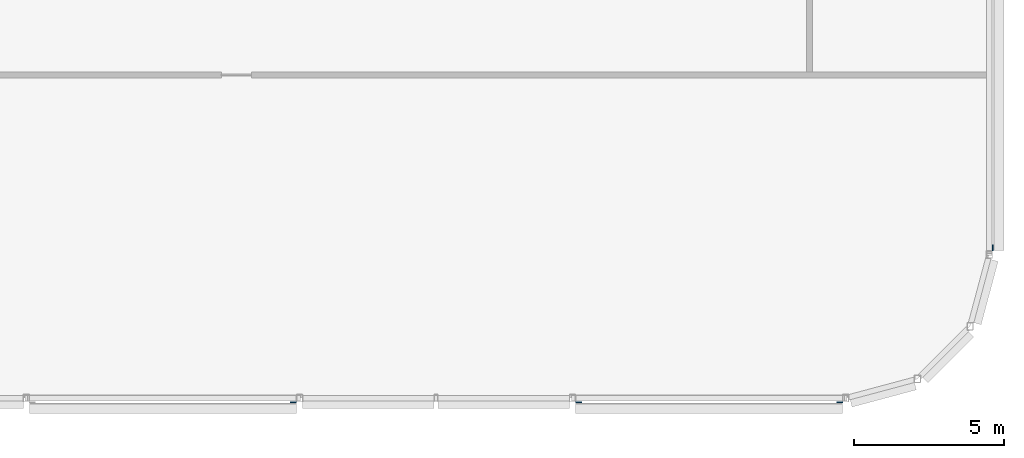
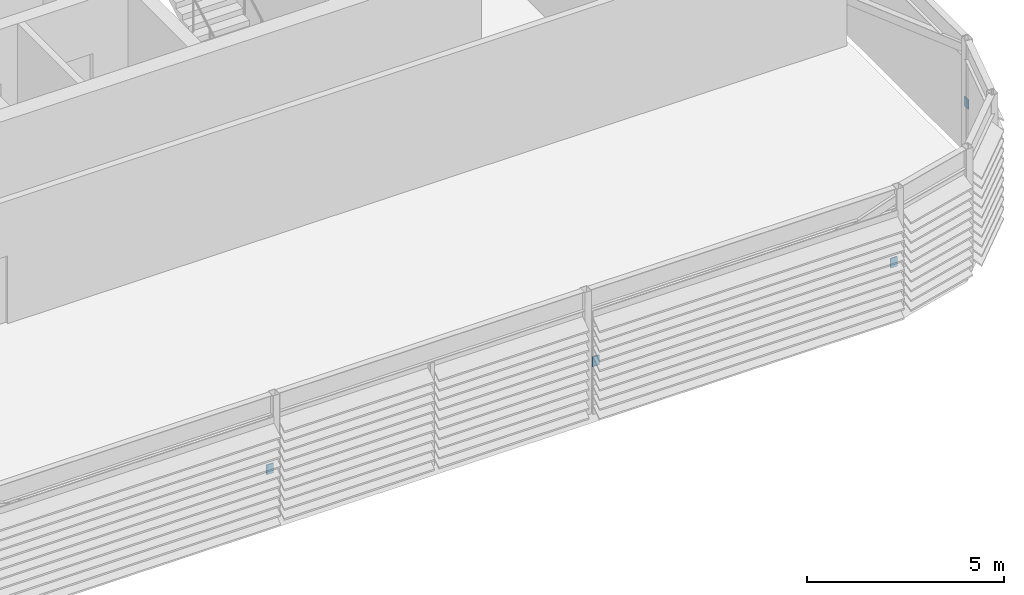
# One storey, part 21 of 28: 4 discrete accessories.
"""IFC4 building model written with IfcOpenShell, lengths in metres."""

import ifcopenshell
import ifcopenshell.guid

model = None  # the IFC model being written
_history = None  # IfcOwnerHistory: only IFC2X3 demands one
_inside = {}  # id of a spatial element -> (the spatial element, [elements in it])
_under = {}  # id of a project, library or spatial element -> (it, [spatial elements below it])
_declared = {}  # id of a project -> (the project, [libraries it declares])
_typed = {}  # id of a type object -> (the type object, [elements of that type])
_made_of = {}  # id of a material, layer set ... -> (it, [elements and type objects made of it])


def new_model(schema):
    """Start an empty IFC model of exactly this schema.

    Asked for "IFC4X3", IfcOpenShell would pick the latest addendum, in which some entities
    have other attributes; the version numbers below select the first issue.
    IFC2X3 requires an IfcOwnerHistory on every rooted entity: one is made here for all.
    """
    global model, _history
    if schema == "IFC4X3":
        model = ifcopenshell.file(schema_version=(4, 3, 0, 0))
    else:
        model = ifcopenshell.file(schema=schema)
    _inside.clear()
    _under.clear()
    _declared.clear()
    _typed.clear()
    _made_of.clear()
    _history = None
    if model.schema == "IFC2X3":
        org = make("IfcOrganization", Name="unknown")
        user = make(
            "IfcPersonAndOrganization",
            ThePerson=make("IfcPerson", FamilyName="unknown"),
            TheOrganization=org,
        )
        app = make(
            "IfcApplication",
            ApplicationDeveloper=org,
            Version="unknown",
            ApplicationFullName="unknown",
            ApplicationIdentifier="unknown",
        )
        _history = make(
            "IfcOwnerHistory",
            OwningUser=user,
            OwningApplication=app,
            ChangeAction="ADDED",
            CreationDate=0,
        )
    return model


def make(cls, **values):
    """One entity of the class cls with the attributes given. An attribute that is None is left unset."""
    return model.create_entity(
        cls, **{name: value for name, value in values.items() if value is not None}
    )


def rooted(cls, **values):
    """An entity with a GlobalId (a new one), such as an element, a storey or a relation."""
    return make(cls, GlobalId=ifcopenshell.guid.new(), OwnerHistory=_history, **values)


def si_unit(unit_type, name, prefix=None):
    """IfcSIUnit, for example si_unit("LENGTHUNIT", "METRE", prefix="MILLI")."""
    return make("IfcSIUnit", UnitType=unit_type, Prefix=prefix, Name=name)


def assignment(units):
    """IfcUnitAssignment: the units of a project."""
    return None if units is None else make("IfcUnitAssignment", Units=units)


def point(xyz):
    """IfcCartesianPoint."""
    return None if xyz is None else make("IfcCartesianPoint", Coordinates=xyz)


def direction(xyz):
    """IfcDirection."""
    return None if xyz is None else make("IfcDirection", DirectionRatios=xyz)


def frame(location, z_axis=None, x_axis=None):
    """IfcAxis2Placement3D, a coordinate frame: its origin and axes. An axis left out is left unset."""
    return make(
        "IfcAxis2Placement3D",
        Location=point(location),
        Axis=direction(z_axis),
        RefDirection=direction(x_axis),
    )


def frame_2d(location, x_axis=None):
    """IfcAxis2Placement2D, a coordinate frame in the plane: its origin and x axis."""
    return make(
        "IfcAxis2Placement2D", Location=point(location), RefDirection=direction(x_axis)
    )


def origin():
    """The frame at (0, 0, 0) with its axes left unset."""
    return frame((0.0, 0.0, 0.0))


def origin_2d():
    """The frame at (0, 0) in the plane with its x axis left unset."""
    return frame_2d((0.0, 0.0))


def place(relative_to, where):
    """IfcLocalPlacement: puts the frame where relative to a parent placement (None: the world)."""
    return make(
        "IfcLocalPlacement", PlacementRelTo=relative_to, RelativePlacement=where
    )


def context(
    kind, dimensions, precision=None, world=None, true_north=None, identifier=None
):
    """IfcGeometricRepresentationContext, for example the 3D "Model" context."""
    return make(
        "IfcGeometricRepresentationContext",
        ContextIdentifier=identifier,
        ContextType=kind,
        CoordinateSpaceDimension=dimensions,
        Precision=precision,
        WorldCoordinateSystem=world,
        TrueNorth=true_north,
    )


def subcontext(parent, identifier, kind, view, scale=None):
    """IfcGeometricRepresentationSubContext, for example "Body" below "Model"."""
    return make(
        "IfcGeometricRepresentationSubContext",
        ContextIdentifier=identifier,
        ContextType=kind,
        ParentContext=parent,
        TargetScale=scale,
        TargetView=view,
    )


def project(units=None, contexts=None):
    """IfcProject with its units and contexts."""
    return rooted(
        "IfcProject",
        Name="project",
        RepresentationContexts=contexts,
        UnitsInContext=assignment(units),
    )


def spatial(cls, under=None, at=None, **own):
    """A site, building, storey or space (cls), placed at a placement, below another one or the project."""
    s = rooted(cls, ObjectPlacement=at, **own)
    if under is not None:
        _under.setdefault(under.id(), (under, []))[1].append(s)
    return s


def profile(cls, at=None, kind="AREA", **sizes):
    """A parametric profile (cls). Its sizes go by their IFC names, for example OverallWidth=200.0."""
    return make(cls, ProfileType=kind, Position=at, **sizes)


def rectangle(**sizes):
    """IfcRectangleProfileDef."""
    return profile("IfcRectangleProfileDef", **sizes)


def extrude(swept, where, along, depth):
    """IfcExtrudedAreaSolid: the profile swept, set in the frame where, extruded along a direction by depth."""
    return make(
        "IfcExtrudedAreaSolid",
        SweptArea=swept,
        Position=where,
        ExtrudedDirection=direction(along),
        Depth=depth,
    )


def shape(context_of_items, identifier, shape_type, items):
    """IfcShapeRepresentation: the items that make up one representation, for example the "Body"."""
    return make(
        "IfcShapeRepresentation",
        ContextOfItems=context_of_items,
        RepresentationIdentifier=identifier,
        RepresentationType=shape_type,
        Items=items,
    )


def material(Name=None, Category=None):
    """IfcMaterial."""
    return make("IfcMaterial", Name=Name, Category=Category)


def made_of(thing, what):
    """Note that an element or type object is made of a material, layer set ...; save() writes the relation."""
    if what is not None:
        _made_of.setdefault(what.id(), (what, []))[1].append(thing)
    return thing


def type_object(cls, material=None, **own):
    """A type object (cls), such as IfcWallType, which elements share."""
    return made_of(rooted(cls, **own), material)


def element(
    cls,
    number,
    at=None,
    inside=None,
    cuts=None,
    type_object=None,
    material=None,
    context=None,
    identifier="Body",
    shape_type=None,
    held_by="IfcProductDefinitionShape",
    body=None,
    shapes=None,
    **own,
):
    """One element of the class cls, such as IfcWall. Its Tag is "e" and its number.

    at: its placement. inside: the storey or other place that contains it. cuts: it is an
    opening in that element (IfcRelVoidsElement). A single representation is given by context,
    identifier, shape_type and body (its items); several are given by shapes. held_by: the class
    of the entity that holds the representations. save() writes the other relations.
    """
    e = rooted(cls, Tag="e%d" % number, ObjectPlacement=at, **own)
    if body is not None:
        shapes = [shape(context, identifier, shape_type, body)]
    if shapes is not None:
        e.Representation = make(held_by, Representations=shapes)
    if inside is not None:
        _inside.setdefault(inside.id(), (inside, []))[1].append(e)
    if cuts is not None:
        rooted(
            "IfcRelVoidsElement", RelatingBuildingElement=cuts, RelatedOpeningElement=e
        )
    if type_object is not None:
        _typed.setdefault(type_object.id(), (type_object, []))[1].append(e)
    return made_of(e, material)


def aggregate(whole, parts):
    """IfcRelAggregates: a whole, such as a stair, and the parts it consists of."""
    return rooted("IfcRelAggregates", RelatingObject=whole, RelatedObjects=parts)


def save(model, path):
    """Write the relations noted so far, then the file.

    IfcRelAggregates (storeys below a building ...), IfcRelContainedInSpatialStructure (elements
    in a storey), IfcRelDefinesByType, IfcRelAssociatesMaterial and IfcRelDeclares: one each for
    every whole, place, type object, material and project.
    """
    for whole, parts in _under.values():
        aggregate(whole, parts)
    for where, things in _inside.values():
        rooted(
            "IfcRelContainedInSpatialStructure",
            RelatedElements=things,
            RelatingStructure=where,
        )
    for kind, things in _typed.values():
        rooted("IfcRelDefinesByType", RelatedObjects=things, RelatingType=kind)
    for what, things in _made_of.values():
        rooted("IfcRelAssociatesMaterial", RelatedObjects=things, RelatingMaterial=what)
    for by, libraries in _declared.values():
        rooted("IfcRelDeclares", RelatingContext=by, RelatedDefinitions=libraries)
    model.write(path)


model = new_model("IFC4")

# Units and contexts
model_context = context("Model", 3, precision=1e-05, world=origin(), true_north=direction((0.0, 1.0)))
body_context = subcontext(model_context, "Body", "Model", "MODEL_VIEW")
ifc_project = project(units=[si_unit("LENGTHUNIT", "METRE"), si_unit("AREAUNIT", "SQUARE_METRE"), si_unit("VOLUMEUNIT", "CUBIC_METRE"), si_unit("PLANEANGLEUNIT", "RADIAN"), si_unit("MASSUNIT", "GRAM", prefix="KILO")], contexts=[model_context])

# Site, building, storey
site_placement = place(None, origin())
site = spatial("IfcSite", under=ifc_project, at=site_placement, CompositionType="ELEMENT")
building_placement = place(site_placement, origin())
building = spatial("IfcBuilding", under=site, at=building_placement, Name="Madar Terraces", CompositionType="ELEMENT")
storey_placement = place(building_placement, frame((0.0, 0.0, 305.89990234375)))
storey = spatial("IfcBuildingStorey", under=building, at=storey_placement, Name="L79", CompositionType="ELEMENT", Elevation=305.89990234375)

# Discrete accessories
ifc_material = material(Name="Steel, galvanised", Category="steel")
discrete_accessory_type = type_object("IfcDiscreteAccessoryType", Name="Louvre bank bracket", PredefinedType="BRACKET", material=ifc_material)
for number, where, z_axis, x_axis, name in (
    (1, (33.158447265625, 1.05810546875, 1.44921875), (0.0, 0.0, 1.0), (1.0, 0.0, 0.0), "Louvre bank bracket"),
    (2, (42.681640625, 1.05810546875, 1.44921875), (0.0, 0.0, 1.0), (1.0, 0.0, 0.0), "Louvre bank bracket"),
    (3, (51.3984375, 1.05810546875, 1.44921875), (0.0, 0.0, 1.0), (1.0, 0.0, 0.0), "Louvre bank bracket"),
    (4, (56.5166015625, 6.22705078125, 1.44921875), (0.0, 0.0, 1.0), (0.0, 1.0, 0.0), "Louvre bank bracket"),
):
    element("IfcDiscreteAccessory", number, at=place(storey_placement, frame(where, z_axis=z_axis, x_axis=x_axis)), inside=storey, type_object=discrete_accessory_type, Name=name, PredefinedType="BRACKET", context=body_context, shape_type="SweptSolid", body=[
        extrude(rectangle(XDim=0.199951171875, YDim=0.030029296875, at=origin_2d()), origin(), (0.0, 0.0, 1.0), 0.300048828125),
    ])

save(model, "model.ifc")
